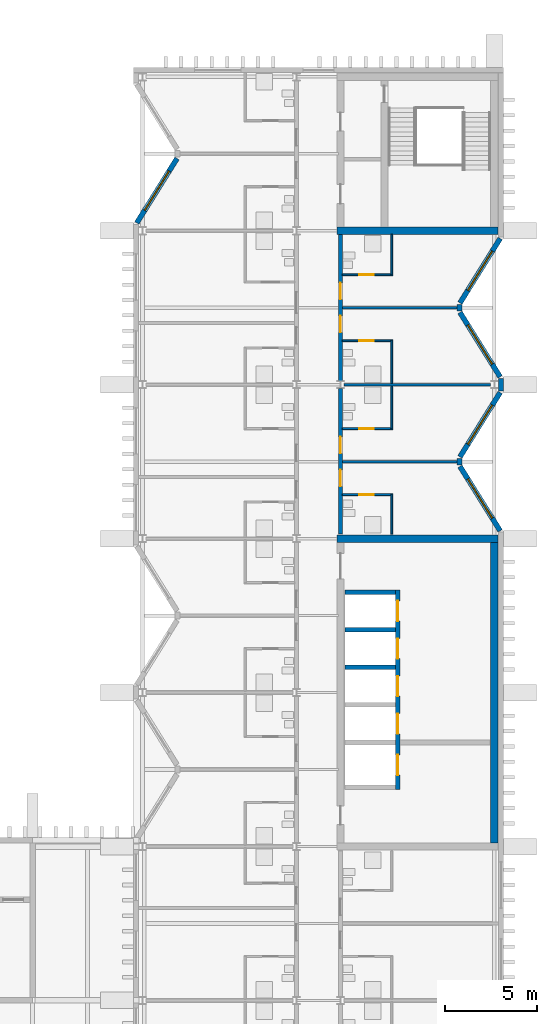
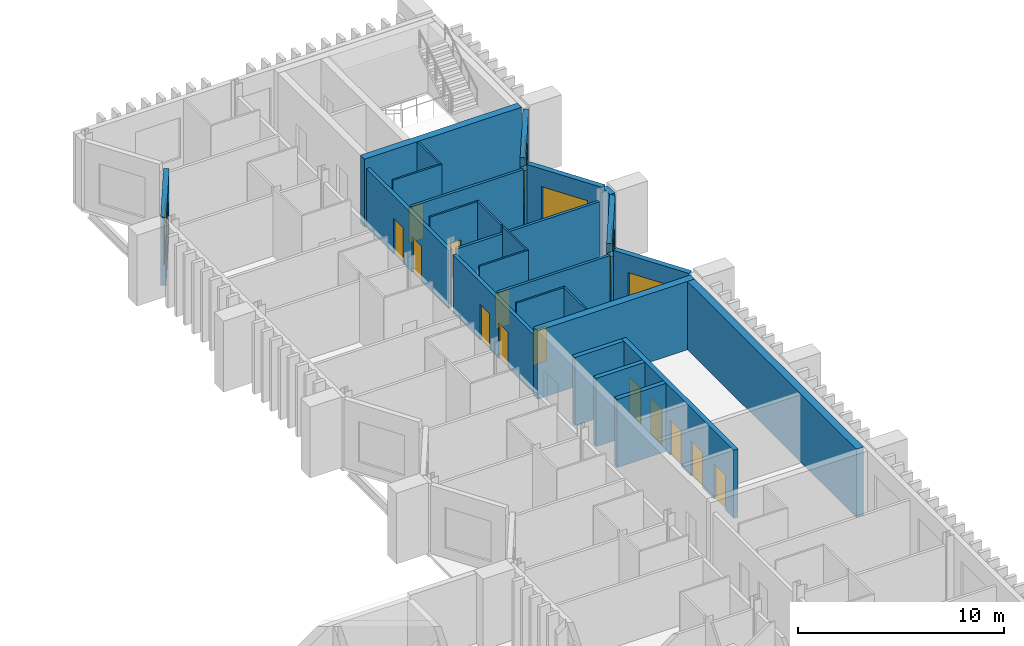
# One storey, part 41 of 51: 28 walls, 13 doors, 5 windows, 18 openings.
"""IFC4 building model written with IfcOpenShell, lengths in metres."""

from ifc_helpers import new_model, si_unit, direction, frame, frame_2d, origin, place, context, subcontext, project, spatial, rectangle, extrude, material, layer, layer_set, type_object, element, fill, save


model = new_model("IFC4")

# Units and contexts
model_context = context("Model", 3, precision=1e-05, world=origin(), true_north=direction((0.0, 1.0)))
body_context = subcontext(model_context, "Body", "Model", "MODEL_VIEW")
ifc_project = project(units=[si_unit("LENGTHUNIT", "METRE"), si_unit("AREAUNIT", "SQUARE_METRE"), si_unit("VOLUMEUNIT", "CUBIC_METRE"), si_unit("PLANEANGLEUNIT", "RADIAN"), si_unit("MASSUNIT", "GRAM", prefix="KILO")], contexts=[model_context])

# Site, building, storey
site_placement = place(None, origin())
site = spatial("IfcSite", under=ifc_project, at=site_placement, CompositionType="ELEMENT")
building_placement = place(site_placement, origin())
building = spatial("IfcBuilding", under=site, at=building_placement, Name="Cresset Court Congress Hotel", CompositionType="ELEMENT")
storey_placement = place(building_placement, frame((0.0, 0.0, 18.60009765625)))
storey = spatial("IfcBuildingStorey", under=building, at=storey_placement, Name="L04", CompositionType="ELEMENT", Elevation=18.60009765625)

# Wall, openings, doors
ifc_material_1 = material(Name="Gypsum board partition")
ifc_layer_1 = layer(ifc_material_1, 0.199951171875)
ifc_layer_set_1 = layer_set([ifc_layer_1], Name="Corridor wall 200")
wall_type_1 = type_object("IfcWallType", Name="Corridor wall 200", PredefinedType="PARTITIONING", material=ifc_layer_set_1)
wall_1_placement = place(storey_placement, frame((168.0, 42.25, 0.0), z_axis=(0.0, 0.0, 1.0), x_axis=(0.0, 1.0, 0.0)))
wall_1 = element("IfcWall", 1, at=wall_1_placement, inside=storey, type_object=wall_type_1, Name="A.wl.L04.080", PredefinedType="PARTITIONING", context=body_context, shape_type="SweptSolid", body=[
    extrude(rectangle(XDim=7.943115234375, YDim=0.199951171875, at=frame_2d((3.9716796875, 0.0))), origin(), (0.0, 0.0, 1.0), 3.449951171875),
])
opening_1_placement = place(wall_1_placement, frame((2.60009765625, 0.0, 0.0)))
opening_1 = element("IfcOpeningElement", 2, at=opening_1_placement, cuts=wall_1, Name="Opening DA-04-42", PredefinedType="OPENING", context=body_context, shape_type="SweptSolid", body=[
    extrude(rectangle(XDim=0.89990234375, YDim=2.10009765625, at=frame_2d((0.449951171875, 1.050048828125))), frame((0.0, 0.10986328125, 0.0), z_axis=(0.0, -1.0, 0.0), x_axis=(1.0, 0.0, 0.0)), (0.0, 0.0, 1.0), 0.219970703125),
])
opening_2_placement = place(wall_1_placement, frame((4.39990234375, 0.0, 0.0)))
opening_2 = element("IfcOpeningElement", 3, at=opening_2_placement, cuts=wall_1, Name="Opening DA-04-44", PredefinedType="OPENING", context=body_context, shape_type="SweptSolid", body=[
    extrude(rectangle(XDim=0.89990234375, YDim=2.10009765625, at=frame_2d((0.449951171875, 1.050048828125))), frame((0.0, 0.10986328125, 0.0), z_axis=(0.0, -1.0, 0.0), x_axis=(1.0, 0.0, 0.0)), (0.0, 0.0, 1.0), 0.219970703125),
])
ifc_material_2 = material(Name="timber", Category="wood")
door_type_1 = type_object("IfcDoorType", Name="Guest-room entry door 900x2100 FD30S", OperationType="SINGLE_SWING_LEFT", PredefinedType="DOOR", material=ifc_material_2)
door_1_placement = place(opening_1_placement, origin())
door_1 = element("IfcDoor", 4, at=door_1_placement, inside=storey, type_object=door_type_1, Name="Door DA-04-42", OperationType="SINGLE_SWING_RIGHT", OverallHeight=2.10009765625, OverallWidth=0.89990234375, PredefinedType="DOOR", context=body_context, shape_type="SweptSolid", body=[
    extrude(rectangle(XDim=0.89990234375, YDim=2.10009765625, at=frame_2d((0.449951171875, 1.050048828125))), frame((0.0, 0.02490234375, 0.0), z_axis=(0.0, -1.0, 0.0), x_axis=(1.0, 0.0, 0.0)), (0.0, 0.0, 1.0), 0.050048828125),
])
fill(opening_1, door_1)
door_2_placement = place(opening_2_placement, origin())
door_2 = element("IfcDoor", 5, at=door_2_placement, inside=storey, type_object=door_type_1, Name="Door DA-04-44", OperationType="SINGLE_SWING_LEFT", OverallHeight=2.10009765625, OverallWidth=0.89990234375, PredefinedType="DOOR", context=body_context, shape_type="SweptSolid", body=[
    extrude(rectangle(XDim=0.89990234375, YDim=2.10009765625, at=frame_2d((0.449951171875, 1.050048828125))), frame((0.0, 0.02490234375, 0.0), z_axis=(0.0, -1.0, 0.0), x_axis=(1.0, 0.0, 0.0)), (0.0, 0.0, 1.0), 0.050048828125),
])
fill(opening_2, door_2)

wall_2_placement = place(storey_placement, frame((168.0, 50.60693359375, 0.0), z_axis=(0.0, 0.0, 1.0), x_axis=(0.0, 1.0, 0.0)))
wall_2 = element("IfcWall", 6, at=wall_2_placement, inside=storey, type_object=wall_type_1, Name="A.wl.L04.081", PredefinedType="PARTITIONING", context=body_context, shape_type="SweptSolid", body=[
    extrude(rectangle(XDim=7.9931640625, YDim=0.199951171875, at=frame_2d((3.99658203125, 0.0))), origin(), (0.0, 0.0, 1.0), 3.449951171875),
])
opening_3_placement = place(wall_2_placement, frame((2.64306640625, 0.0, 0.0)))
opening_3 = element("IfcOpeningElement", 7, at=opening_3_placement, cuts=wall_2, Name="Opening DA-04-46", PredefinedType="OPENING", context=body_context, shape_type="SweptSolid", body=[
    extrude(rectangle(XDim=0.89990234375, YDim=2.10009765625, at=frame_2d((0.449951171875, 1.050048828125))), frame((0.0, 0.10986328125, 0.0), z_axis=(0.0, -1.0, 0.0), x_axis=(1.0, 0.0, 0.0)), (0.0, 0.0, 1.0), 0.219970703125),
])
opening_4_placement = place(wall_2_placement, frame((4.443115234375, 0.0, 0.0)))
opening_4 = element("IfcOpeningElement", 8, at=opening_4_placement, cuts=wall_2, Name="Opening DA-04-48", PredefinedType="OPENING", context=body_context, shape_type="SweptSolid", body=[
    extrude(rectangle(XDim=0.89990234375, YDim=2.10009765625, at=frame_2d((0.449951171875, 1.050048828125))), frame((0.0, 0.10986328125, 0.0), z_axis=(0.0, -1.0, 0.0), x_axis=(1.0, 0.0, 0.0)), (0.0, 0.0, 1.0), 0.219970703125),
])
door_3_placement = place(opening_3_placement, origin())
door_3 = element("IfcDoor", 9, at=door_3_placement, inside=storey, type_object=door_type_1, Name="Door DA-04-46", OperationType="SINGLE_SWING_RIGHT", OverallHeight=2.10009765625, OverallWidth=0.89990234375, PredefinedType="DOOR", context=body_context, shape_type="SweptSolid", body=[
    extrude(rectangle(XDim=0.89990234375, YDim=2.10009765625, at=frame_2d((0.449951171875, 1.050048828125))), frame((0.0, 0.02490234375, 0.0), z_axis=(0.0, -1.0, 0.0), x_axis=(1.0, 0.0, 0.0)), (0.0, 0.0, 1.0), 0.050048828125),
])
fill(opening_3, door_3)
door_4_placement = place(opening_4_placement, origin())
door_4 = element("IfcDoor", 10, at=door_4_placement, inside=storey, type_object=door_type_1, Name="Door DA-04-48", OperationType="SINGLE_SWING_LEFT", OverallHeight=2.10009765625, OverallWidth=0.89990234375, PredefinedType="DOOR", context=body_context, shape_type="SweptSolid", body=[
    extrude(rectangle(XDim=0.89990234375, YDim=2.10009765625, at=frame_2d((0.449951171875, 1.050048828125))), frame((0.0, 0.02490234375, 0.0), z_axis=(0.0, -1.0, 0.0), x_axis=(1.0, 0.0, 0.0)), (0.0, 0.0, 1.0), 0.050048828125),
])
fill(opening_4, door_4)

# Wall
ifc_material_3 = material(Name="Gypsum board partition")
ifc_layer_2 = layer(ifc_material_3, 0.10009765625)
ifc_layer_set_2 = layer_set([ifc_layer_2], Name="En-suite wall 100")
wall_type_2 = type_object("IfcWallType", Name="En-suite wall 100", PredefinedType="PARTITIONING", material=ifc_layer_set_2)
wall_3_placement = place(storey_placement, frame((170.800048828125, 42.25, 0.0), z_axis=(0.0, 0.0, 1.0), x_axis=(0.0, 1.0, 0.0)))
element("IfcWall", 11, at=wall_3_placement, inside=storey, type_object=wall_type_2, Name="A.wl.L04.041", PredefinedType="PARTITIONING", context=body_context, shape_type="SweptSolid", body=[
    extrude(rectangle(XDim=2.14990234375, YDim=0.10009765625, at=frame_2d((1.074951171875, 0.0))), origin(), (0.0, 0.0, 1.0), 4.0498046875),
])

# Wall, opening, door
wall_4_placement = place(storey_placement, frame((170.85009765625, 44.39990234375, 0.0), z_axis=(0.0, 0.0, 1.0), x_axis=(-1.0, 0.0, 0.0)))
wall_4 = element("IfcWall", 12, at=wall_4_placement, inside=storey, type_object=wall_type_2, Name="A.wl.L04.042", PredefinedType="PARTITIONING", context=body_context, shape_type="SweptSolid", body=[
    extrude(rectangle(XDim=2.75, YDim=0.10009765625, at=frame_2d((1.375, 0.0))), origin(), (0.0, 0.0, 1.0), 4.0498046875),
])
opening_5_placement = place(wall_4_placement, frame((1.030029296875, 0.0, 0.0)))
opening_5 = element("IfcOpeningElement", 13, at=opening_5_placement, cuts=wall_4, Name="Opening DA-04-41", PredefinedType="OPENING", context=body_context, shape_type="SweptSolid", body=[
    extrude(rectangle(XDim=0.800048828125, YDim=2.10009765625, at=frame_2d((0.39990234375, 1.050048828125))), frame((0.0, 0.06005859375, 0.0), z_axis=(0.0, -1.0, 0.0), x_axis=(1.0, 0.0, 0.0)), (0.0, 0.0, 1.0), 0.1201171875),
])
ifc_material_4 = material(Name="timber", Category="wood")
door_type_2 = type_object("IfcDoorType", Name="En-suite door 800x2100", OperationType="SINGLE_SWING_LEFT", PredefinedType="DOOR", material=ifc_material_4)
door_5_placement = place(opening_5_placement, origin())
door_5 = element("IfcDoor", 14, at=door_5_placement, inside=storey, type_object=door_type_2, Name="Door DA-04-41", OperationType="SINGLE_SWING_RIGHT", OverallHeight=2.10009765625, OverallWidth=0.800048828125, PredefinedType="DOOR", context=body_context, shape_type="SweptSolid", body=[
    extrude(rectangle(XDim=0.800048828125, YDim=2.10009765625, at=frame_2d((0.39990234375, 1.050048828125))), frame((0.0, 0.02490234375, 0.0), z_axis=(0.0, -1.0, 0.0), x_axis=(1.0, 0.0, 0.0)), (0.0, 0.0, 1.0), 0.050048828125),
])
fill(opening_5, door_5)

# Wall
wall_5_placement = place(storey_placement, frame((170.800048828125, 48.0, 0.0), z_axis=(0.0, 0.0, 1.0), x_axis=(0.0, 1.0, 0.0)))
element("IfcWall", 15, at=wall_5_placement, inside=storey, type_object=wall_type_2, Name="A.wl.L04.043", PredefinedType="PARTITIONING", context=body_context, shape_type="SweptSolid", body=[
    extrude(rectangle(XDim=2.324951171875, YDim=0.10009765625, at=frame_2d((1.16259765625, 0.0))), origin(), (0.0, 0.0, 1.0), 4.0498046875),
])

# Wall, opening, door
wall_6_placement = place(storey_placement, frame((170.85009765625, 48.0, 0.0), z_axis=(0.0, 0.0, 1.0), x_axis=(-1.0, 0.0, 0.0)))
wall_6 = element("IfcWall", 16, at=wall_6_placement, inside=storey, type_object=wall_type_2, Name="A.wl.L04.044", PredefinedType="PARTITIONING", context=body_context, shape_type="SweptSolid", body=[
    extrude(rectangle(XDim=2.75, YDim=0.10009765625, at=frame_2d((1.375, 0.0))), origin(), (0.0, 0.0, 1.0), 4.0498046875),
])
opening_6_placement = place(wall_6_placement, frame((1.030029296875, 0.0, 0.0)))
opening_6 = element("IfcOpeningElement", 17, at=opening_6_placement, cuts=wall_6, Name="Opening DA-04-43", PredefinedType="OPENING", context=body_context, shape_type="SweptSolid", body=[
    extrude(rectangle(XDim=0.800048828125, YDim=2.10009765625, at=frame_2d((0.39990234375, 1.050048828125))), frame((0.0, 0.06005859375, 0.0), z_axis=(0.0, -1.0, 0.0), x_axis=(1.0, 0.0, 0.0)), (0.0, 0.0, 1.0), 0.1201171875),
])
door_6_placement = place(opening_6_placement, origin())
door_6 = element("IfcDoor", 18, at=door_6_placement, inside=storey, type_object=door_type_2, Name="Door DA-04-43", OperationType="SINGLE_SWING_LEFT", OverallHeight=2.10009765625, OverallWidth=0.800048828125, PredefinedType="DOOR", context=body_context, shape_type="SweptSolid", body=[
    extrude(rectangle(XDim=0.800048828125, YDim=2.10009765625, at=frame_2d((0.39990234375, 1.050048828125))), frame((0.0, 0.02490234375, 0.0), z_axis=(0.0, -1.0, 0.0), x_axis=(1.0, 0.0, 0.0)), (0.0, 0.0, 1.0), 0.050048828125),
])
fill(opening_6, door_6)

# Wall
wall_7_placement = place(storey_placement, frame((170.800048828125, 50.47509765625, 0.0), z_axis=(0.0, 0.0, 1.0), x_axis=(0.0, 1.0, 0.0)))
element("IfcWall", 19, at=wall_7_placement, inside=storey, type_object=wall_type_2, Name="A.wl.L04.045", PredefinedType="PARTITIONING", context=body_context, shape_type="SweptSolid", body=[
    extrude(rectangle(XDim=2.324951171875, YDim=0.10009765625, at=frame_2d((1.16259765625, 0.0))), origin(), (0.0, 0.0, 1.0), 4.0498046875),
])

# Wall, opening, door
wall_8_placement = place(storey_placement, frame((170.85009765625, 52.800048828125, 0.0), z_axis=(0.0, 0.0, 1.0), x_axis=(-1.0, 0.0, 0.0)))
wall_8 = element("IfcWall", 20, at=wall_8_placement, inside=storey, type_object=wall_type_2, Name="A.wl.L04.046", PredefinedType="PARTITIONING", context=body_context, shape_type="SweptSolid", body=[
    extrude(rectangle(XDim=2.75, YDim=0.10009765625, at=frame_2d((1.375, 0.0))), origin(), (0.0, 0.0, 1.0), 4.0498046875),
])
opening_7_placement = place(wall_8_placement, frame((1.030029296875, 0.0, 0.0)))
opening_7 = element("IfcOpeningElement", 21, at=opening_7_placement, cuts=wall_8, Name="Opening DA-04-45", PredefinedType="OPENING", context=body_context, shape_type="SweptSolid", body=[
    extrude(rectangle(XDim=0.800048828125, YDim=2.10009765625, at=frame_2d((0.39990234375, 1.050048828125))), frame((0.0, 0.06005859375, 0.0), z_axis=(0.0, -1.0, 0.0), x_axis=(1.0, 0.0, 0.0)), (0.0, 0.0, 1.0), 0.1201171875),
])
door_7_placement = place(opening_7_placement, origin())
door_7 = element("IfcDoor", 22, at=door_7_placement, inside=storey, type_object=door_type_2, Name="Door DA-04-45", OperationType="SINGLE_SWING_RIGHT", OverallHeight=2.10009765625, OverallWidth=0.800048828125, PredefinedType="DOOR", context=body_context, shape_type="SweptSolid", body=[
    extrude(rectangle(XDim=0.800048828125, YDim=2.10009765625, at=frame_2d((0.39990234375, 1.050048828125))), frame((0.0, 0.02490234375, 0.0), z_axis=(0.0, -1.0, 0.0), x_axis=(1.0, 0.0, 0.0)), (0.0, 0.0, 1.0), 0.050048828125),
])
fill(opening_7, door_7)

# Wall
wall_9_placement = place(storey_placement, frame((170.800048828125, 56.39990234375, 0.0), z_axis=(0.0, 0.0, 1.0), x_axis=(0.0, 1.0, 0.0)))
element("IfcWall", 23, at=wall_9_placement, inside=storey, type_object=wall_type_2, Name="A.wl.L04.047", PredefinedType="PARTITIONING", context=body_context, shape_type="SweptSolid", body=[
    extrude(rectangle(XDim=2.2001953125, YDim=0.10009765625, at=frame_2d((1.10009765625, 0.0))), origin(), (0.0, 0.0, 1.0), 4.0498046875),
])

# Wall, opening, door
wall_10_placement = place(storey_placement, frame((170.85009765625, 56.39990234375, 0.0), z_axis=(0.0, 0.0, 1.0), x_axis=(-1.0, 0.0, 0.0)))
wall_10 = element("IfcWall", 24, at=wall_10_placement, inside=storey, type_object=wall_type_2, Name="A.wl.L04.048", PredefinedType="PARTITIONING", context=body_context, shape_type="SweptSolid", body=[
    extrude(rectangle(XDim=2.75, YDim=0.10009765625, at=frame_2d((1.375, 0.0))), origin(), (0.0, 0.0, 1.0), 4.0498046875),
])
opening_8_placement = place(wall_10_placement, frame((1.030029296875, 0.0, 0.0)))
opening_8 = element("IfcOpeningElement", 25, at=opening_8_placement, cuts=wall_10, Name="Opening DA-04-47", PredefinedType="OPENING", context=body_context, shape_type="SweptSolid", body=[
    extrude(rectangle(XDim=0.800048828125, YDim=2.10009765625, at=frame_2d((0.39990234375, 1.050048828125))), frame((0.0, 0.06005859375, 0.0), z_axis=(0.0, -1.0, 0.0), x_axis=(1.0, 0.0, 0.0)), (0.0, 0.0, 1.0), 0.1201171875),
])
door_8_placement = place(opening_8_placement, origin())
door_8 = element("IfcDoor", 26, at=door_8_placement, inside=storey, type_object=door_type_2, Name="Door DA-04-47", OperationType="SINGLE_SWING_LEFT", OverallHeight=2.10009765625, OverallWidth=0.800048828125, PredefinedType="DOOR", context=body_context, shape_type="SweptSolid", body=[
    extrude(rectangle(XDim=0.800048828125, YDim=2.10009765625, at=frame_2d((0.39990234375, 1.050048828125))), frame((0.0, 0.02490234375, 0.0), z_axis=(0.0, -1.0, 0.0), x_axis=(1.0, 0.0, 0.0)), (0.0, 0.0, 1.0), 0.050048828125),
])
fill(opening_8, door_8)

# Wall, opening, window
ifc_material_5 = material(Name="Precast concrete C50", Category="concrete")
ifc_layer_3 = layer(ifc_material_5, 0.280029296875)
ifc_layer_set_3 = layer_set([ifc_layer_3], Name="External wall 280")
wall_type_3 = type_object("IfcWallType", Name="External wall 280", PredefinedType="SOLIDWALL", material=ifc_layer_set_3)
wall_11_placement = place(storey_placement, frame((156.88623046875, 59.22412109375, 0.0), z_axis=(0.0, 0.0, 1.0), x_axis=(0.529018946142, 0.848610013271, 0.0)))
wall_11 = element("IfcWall", 27, at=wall_11_placement, inside=storey, type_object=wall_type_3, Name="A.ew.L04.Wn.7.0", PredefinedType="SOLIDWALL", context=body_context, shape_type="SweptSolid", body=[
    extrude(rectangle(XDim=4.144287109375, YDim=0.280029296875, at=frame_2d((2.072265625, 0.0))), origin(), (0.0, 0.0, 1.0), 4.0498046875),
])
opening_9_placement = place(wall_11_placement, frame((0.812255859375, 0.0, 0.60009765625)))
opening_9 = element("IfcOpeningElement", 28, at=opening_9_placement, cuts=wall_11, Name="Opening NA-04-15", PredefinedType="OPENING", context=body_context, shape_type="SweptSolid", body=[
    extrude(rectangle(XDim=2.52001953125, YDim=2.39990234375, at=frame_2d((1.260009765625, 1.199951171875))), frame((0.0, 0.14990234375, 0.0), z_axis=(0.0, -1.0, 0.0), x_axis=(1.0, 0.0, 0.0)), (0.0, 0.0, 1.0), 0.300048828125),
])
ifc_material_6 = material(Name="Aluminium and glass", Category="aluminium")
window_type = type_object("IfcWindowType", Name="Window 2520x2400", PartitioningType="SINGLE_PANEL", PredefinedType="WINDOW", material=ifc_material_6)
window_1_placement = place(opening_9_placement, origin())
window_1 = element("IfcWindow", 29, at=window_1_placement, inside=storey, type_object=window_type, Name="Window NA-04-15", OverallHeight=2.39990234375, OverallWidth=2.52001953125, PartitioningType="SINGLE_PANEL", PredefinedType="WINDOW", context=body_context, shape_type="SweptSolid", body=[
    extrude(rectangle(XDim=2.52001953125, YDim=2.39990234375, at=frame_2d((1.260009765625, 1.199951171875))), frame((0.0, 0.030029296875, 0.0), z_axis=(0.0, -1.0, 0.0), x_axis=(1.0, 0.0, 0.0)), (0.0, 0.0, 1.0), 0.06005859375),
])
fill(opening_9, window_1)

wall_12_placement = place(storey_placement, frame((176.7138671875, 42.424072265625, 0.0), z_axis=(0.0, 0.0, 1.0), x_axis=(-0.529018946142, 0.848610013271, 0.0)))
wall_12 = element("IfcWall", 30, at=wall_12_placement, inside=storey, type_object=wall_type_3, Name="A.ew.L04.En.5.0", PredefinedType="SOLIDWALL", context=body_context, shape_type="SweptSolid", body=[
    extrude(rectangle(XDim=4.144287109375, YDim=0.280029296875, at=frame_2d((2.072265625, 0.0))), origin(), (0.0, 0.0, 1.0), 4.0498046875),
])
opening_10_placement = place(wall_12_placement, frame((0.81201171875, 0.0, 0.60009765625)))
opening_10 = element("IfcOpeningElement", 31, at=opening_10_placement, cuts=wall_12, Name="Opening NA-04-21", PredefinedType="OPENING", context=body_context, shape_type="SweptSolid", body=[
    extrude(rectangle(XDim=2.52001953125, YDim=2.39990234375, at=frame_2d((1.260009765625, 1.199951171875))), frame((0.0, 0.14990234375, 0.0), z_axis=(0.0, -1.0, 0.0), x_axis=(1.0, 0.0, 0.0)), (0.0, 0.0, 1.0), 0.300048828125),
])
window_2_placement = place(opening_10_placement, origin())
window_2 = element("IfcWindow", 32, at=window_2_placement, inside=storey, type_object=window_type, Name="Window NA-04-21", OverallHeight=2.39990234375, OverallWidth=2.52001953125, PartitioningType="SINGLE_PANEL", PredefinedType="WINDOW", context=body_context, shape_type="SweptSolid", body=[
    extrude(rectangle(XDim=2.52001953125, YDim=2.39990234375, at=frame_2d((1.260009765625, 1.199951171875))), frame((0.0, 0.030029296875, 0.0), z_axis=(0.0, -1.0, 0.0), x_axis=(1.0, 0.0, 0.0)), (0.0, 0.0, 1.0), 0.06005859375),
])
fill(opening_10, window_2)

wall_13_placement = place(storey_placement, frame((174.521484375, 46.458984375, 0.0), z_axis=(0.0, 0.0, 1.0), x_axis=(0.529018946142, 0.848610013271, 0.0)))
wall_13 = element("IfcWall", 33, at=wall_13_placement, inside=storey, type_object=wall_type_3, Name="A.ew.L04.En.5.1", PredefinedType="SOLIDWALL", context=body_context, shape_type="SweptSolid", body=[
    extrude(rectangle(XDim=4.144287109375, YDim=0.280029296875, at=frame_2d((2.072265625, 0.0))), origin(), (0.0, 0.0, 1.0), 4.0498046875),
])
opening_11_placement = place(wall_13_placement, frame((0.81201171875, 0.0, 0.60009765625)))
opening_11 = element("IfcOpeningElement", 34, at=opening_11_placement, cuts=wall_13, Name="Opening NA-04-22", PredefinedType="OPENING", context=body_context, shape_type="SweptSolid", body=[
    extrude(rectangle(XDim=2.52001953125, YDim=2.39990234375, at=frame_2d((1.260009765625, 1.199951171875))), frame((0.0, 0.14990234375, 0.0), z_axis=(0.0, -1.0, 0.0), x_axis=(1.0, 0.0, 0.0)), (0.0, 0.0, 1.0), 0.300048828125),
])
window_3_placement = place(opening_11_placement, origin())
window_3 = element("IfcWindow", 35, at=window_3_placement, inside=storey, type_object=window_type, Name="Window NA-04-22", OverallHeight=2.39990234375, OverallWidth=2.52001953125, PartitioningType="SINGLE_PANEL", PredefinedType="WINDOW", context=body_context, shape_type="SweptSolid", body=[
    extrude(rectangle(XDim=2.52001953125, YDim=2.39990234375, at=frame_2d((1.260009765625, 1.199951171875))), frame((0.0, 0.030029296875, 0.0), z_axis=(0.0, -1.0, 0.0), x_axis=(1.0, 0.0, 0.0)), (0.0, 0.0, 1.0), 0.06005859375),
])
fill(opening_11, window_3)

# Walls
wall_14_placement = place(storey_placement, frame((174.500244140625, 46.01513671875, 0.0), z_axis=(0.0, 0.0, 1.0), x_axis=(0.0, 1.0, 0.0)))
element("IfcWall", 36, at=wall_14_placement, inside=storey, type_object=wall_type_3, Name="A.ew.L04.En.5.2", PredefinedType="SOLIDWALL", context=body_context, shape_type="SweptSolid", body=[
    extrude(rectangle(XDim=0.369873046875, YDim=0.280029296875, at=frame_2d((0.18505859375, 0.0))), origin(), (0.0, 0.0, 1.0), 3.60400390625),
])
wall_15_placement = place(storey_placement, frame((176.760009765625, 50.050048828125, 0.0), z_axis=(0.0, 0.0, 1.0), x_axis=(0.0, 1.0, 0.0)))
element("IfcWall", 37, at=wall_15_placement, inside=storey, type_object=wall_type_3, Name="A.ew.L04.E.2", PredefinedType="SOLIDWALL", context=body_context, shape_type="SweptSolid", body=[
    extrude(rectangle(XDim=0.699951171875, YDim=0.280029296875, at=frame_2d((0.35009765625, 0.0))), origin(), (0.0, 0.0, 1.0), 4.0498046875),
])

# Wall, opening, window
wall_16_placement = place(storey_placement, frame((176.7138671875, 50.82421875, 0.0), z_axis=(0.0, 0.0, 1.0), x_axis=(-0.529018946142, 0.848610013271, 0.0)))
wall_16 = element("IfcWall", 38, at=wall_16_placement, inside=storey, type_object=wall_type_3, Name="A.ew.L04.En.6.0", PredefinedType="SOLIDWALL", context=body_context, shape_type="SweptSolid", body=[
    extrude(rectangle(XDim=4.144287109375, YDim=0.280029296875, at=frame_2d((2.072265625, 0.0))), origin(), (0.0, 0.0, 1.0), 4.0498046875),
])
opening_12_placement = place(wall_16_placement, frame((0.81201171875, 0.0, 0.60009765625)))
opening_12 = element("IfcOpeningElement", 39, at=opening_12_placement, cuts=wall_16, Name="Opening NA-04-23", PredefinedType="OPENING", context=body_context, shape_type="SweptSolid", body=[
    extrude(rectangle(XDim=2.52001953125, YDim=2.39990234375, at=frame_2d((1.260009765625, 1.199951171875))), frame((0.0, 0.14990234375, 0.0), z_axis=(0.0, -1.0, 0.0), x_axis=(1.0, 0.0, 0.0)), (0.0, 0.0, 1.0), 0.300048828125),
])
window_4_placement = place(opening_12_placement, origin())
window_4 = element("IfcWindow", 40, at=window_4_placement, inside=storey, type_object=window_type, Name="Window NA-04-23", OverallHeight=2.39990234375, OverallWidth=2.52001953125, PartitioningType="SINGLE_PANEL", PredefinedType="WINDOW", context=body_context, shape_type="SweptSolid", body=[
    extrude(rectangle(XDim=2.52001953125, YDim=2.39990234375, at=frame_2d((1.260009765625, 1.199951171875))), frame((0.0, 0.030029296875, 0.0), z_axis=(0.0, -1.0, 0.0), x_axis=(1.0, 0.0, 0.0)), (0.0, 0.0, 1.0), 0.06005859375),
])
fill(opening_12, window_4)

wall_17_placement = place(storey_placement, frame((174.521484375, 54.85888671875, 0.0), z_axis=(0.0, 0.0, 1.0), x_axis=(0.528992500338, 0.848626498871, 0.0)))
wall_17 = element("IfcWall", 41, at=wall_17_placement, inside=storey, type_object=wall_type_3, Name="A.ew.L04.En.6.1", PredefinedType="SOLIDWALL", context=body_context, shape_type="SweptSolid", body=[
    extrude(rectangle(XDim=4.14453125, YDim=0.280029296875, at=frame_2d((2.072265625, 0.0))), origin(), (0.0, 0.0, 1.0), 4.0498046875),
])
opening_13_placement = place(wall_17_placement, frame((0.81201171875, 0.0, 0.60009765625)))
opening_13 = element("IfcOpeningElement", 42, at=opening_13_placement, cuts=wall_17, Name="Opening NA-04-24", PredefinedType="OPENING", context=body_context, shape_type="SweptSolid", body=[
    extrude(rectangle(XDim=2.52001953125, YDim=2.39990234375, at=frame_2d((1.260009765625, 1.199951171875))), frame((0.0, 0.14990234375, 0.0), z_axis=(0.0, -1.0, 0.0), x_axis=(1.0, 0.0, 0.0)), (0.0, 0.0, 1.0), 0.300048828125),
])
window_5_placement = place(opening_13_placement, origin())
window_5 = element("IfcWindow", 43, at=window_5_placement, inside=storey, type_object=window_type, Name="Window NA-04-24", OverallHeight=2.39990234375, OverallWidth=2.52001953125, PartitioningType="SINGLE_PANEL", PredefinedType="WINDOW", context=body_context, shape_type="SweptSolid", body=[
    extrude(rectangle(XDim=2.52001953125, YDim=2.39990234375, at=frame_2d((1.260009765625, 1.199951171875))), frame((0.0, 0.030029296875, 0.0), z_axis=(0.0, -1.0, 0.0), x_axis=(1.0, 0.0, 0.0)), (0.0, 0.0, 1.0), 0.06005859375),
])
fill(opening_13, window_5)

# Walls
wall_18_placement = place(storey_placement, frame((174.500244140625, 54.4150390625, 0.0), z_axis=(0.0, 0.0, 1.0), x_axis=(0.0, 1.0, 0.0)))
element("IfcWall", 44, at=wall_18_placement, inside=storey, type_object=wall_type_3, Name="A.ew.L04.En.6.2", PredefinedType="SOLIDWALL", context=body_context, shape_type="SweptSolid", body=[
    extrude(rectangle(XDim=0.369873046875, YDim=0.280029296875, at=frame_2d((0.18505859375, 0.0))), origin(), (0.0, 0.0, 1.0), 3.60400390625),
])
ifc_material_7 = material(Name="Gypsum board partition")
ifc_layer_4 = layer(ifc_material_7, 0.14990234375)
ifc_layer_set_4 = layer_set([ifc_layer_4], Name="Guest-room partition 150")
wall_type_4 = type_object("IfcWallType", Name="Guest-room partition 150", PredefinedType="PARTITIONING", material=ifc_layer_set_4)
wall_19_placement = place(storey_placement, frame((168.202392578125, 50.39990234375, 0.0), z_axis=(0.0, 0.0, 1.0), x_axis=(1.0, 0.0, 0.0)))
element("IfcWall", 45, at=wall_19_placement, inside=storey, type_object=wall_type_4, Name="A.wl.L04.057", PredefinedType="PARTITIONING", context=body_context, shape_type="SweptSolid", body=[
    extrude(rectangle(XDim=7.9951171875, YDim=0.14990234375, at=frame_2d((3.99755859375, 0.0))), origin(), (0.0, 0.0, 1.0), 3.60400390625),
])
for number, where, z_axis, x_axis, name in (
    (46, (168.10009765625, 46.199951171875, 0.0), (0.0, 0.0, 1.0), (1.0, 0.0, 0.0), "A.wl.L04.068"),
    (47, (168.10009765625, 54.60009765625, 0.0), (0.0, 0.0, 1.0), (1.0, 0.0, 0.0), "A.wl.L04.069"),
):
    element("IfcWall", number, at=place(storey_placement, frame(where, z_axis=z_axis, x_axis=x_axis)), inside=storey, type_object=wall_type_4, Name=name, PredefinedType="PARTITIONING", context=body_context, shape_type="SweptSolid", body=[
        extrude(rectangle(XDim=6.26025390625, YDim=0.14990234375, at=frame_2d((3.130126953125, 0.0))), origin(), (0.0, 0.0, 1.0), 3.60400390625),
    ])
ifc_material_8 = material(Name="Concrete C50", Category="concrete")
ifc_layer_5 = layer(ifc_material_8, 0.39990234375)
ifc_layer_set_5 = layer_set([ifc_layer_5], Name="Lift core wall 400")
wall_type_5 = type_object("IfcWallType", Name="Lift core wall 400", PredefinedType="SOLIDWALL", material=ifc_layer_set_5)
wall_20_placement = place(storey_placement, frame((167.800048828125, 42.0, 0.0), z_axis=(0.0, 0.0, 1.0), x_axis=(1.0, 0.0, 0.0)))
element("IfcWall", 48, at=wall_20_placement, inside=storey, type_object=wall_type_5, Name="A.cw.LC-A.L04.N", PredefinedType="SOLIDWALL", context=body_context, shape_type="SweptSolid", body=[
    extrude(rectangle(XDim=8.800048828125, YDim=0.39990234375, at=frame_2d((4.39990234375, 0.0))), origin(), (0.0, 0.0, 1.0), 4.0498046875),
])
wall_21_placement = place(storey_placement, frame((176.39990234375, 25.39990234375, 0.0), z_axis=(0.0, 0.0, 1.0), x_axis=(0.0, 1.0, 0.0)))
element("IfcWall", 49, at=wall_21_placement, inside=storey, type_object=wall_type_5, Name="A.cw.LC-A.L04.E", PredefinedType="SOLIDWALL", context=body_context, shape_type="SweptSolid", body=[
    extrude(rectangle(XDim=16.400146484375, YDim=0.39990234375, at=frame_2d((8.2001953125, 0.0))), origin(), (0.0, 0.0, 1.0), 4.0498046875),
])

# Wall, openings, doors
ifc_material_9 = material(Name="Concrete C50", Category="concrete")
ifc_layer_6 = layer(ifc_material_9, 0.25)
ifc_layer_set_6 = layer_set([ifc_layer_6], Name="Lift shaft wall 250")
wall_type_6 = type_object("IfcWallType", Name="Lift shaft wall 250", PredefinedType="SOLIDWALL", material=ifc_layer_set_6)
wall_22_placement = place(storey_placement, frame((171.125, 28.300048828125, 0.0), z_axis=(0.0, 0.0, 1.0), x_axis=(0.0, 1.0, 0.0)))
wall_22 = element("IfcWall", 50, at=wall_22_placement, inside=storey, type_object=wall_type_6, Name="A.wl.L04.086", PredefinedType="SOLIDWALL", context=body_context, shape_type="SweptSolid", body=[
    extrude(rectangle(XDim=10.89990234375, YDim=0.25, at=frame_2d((5.449951171875, 0.0))), origin(), (0.0, 0.0, 1.0), 4.0498046875),
])
opening_14_placement = place(wall_22_placement, frame((0.800048828125, 0.0, 0.0)))
opening_14 = element("IfcOpeningElement", 51, at=opening_14_placement, cuts=wall_22, Name="Opening LD-A1-04", PredefinedType="OPENING", context=body_context, shape_type="SweptSolid", body=[
    extrude(rectangle(XDim=1.10009765625, YDim=2.10009765625, at=frame_2d((0.550048828125, 1.050048828125))), frame((0.0, 0.135009765625, 0.0), z_axis=(0.0, -1.0, 0.0), x_axis=(1.0, 0.0, 0.0)), (0.0, 0.0, 1.0), 0.27001953125),
])
opening_15_placement = place(wall_22_placement, frame((3.050048828125, 0.0, 0.0)))
opening_15 = element("IfcOpeningElement", 52, at=opening_15_placement, cuts=wall_22, Name="Opening LD-A2-04", PredefinedType="OPENING", context=body_context, shape_type="SweptSolid", body=[
    extrude(rectangle(XDim=1.10009765625, YDim=2.10009765625, at=frame_2d((0.550048828125, 1.050048828125))), frame((0.0, 0.135009765625, 0.0), z_axis=(0.0, -1.0, 0.0), x_axis=(1.0, 0.0, 0.0)), (0.0, 0.0, 1.0), 0.27001953125),
])
opening_16_placement = place(wall_22_placement, frame((5.10009765625, 0.0, 0.0)))
opening_16 = element("IfcOpeningElement", 53, at=opening_16_placement, cuts=wall_22, Name="Opening LD-A3-04", PredefinedType="OPENING", context=body_context, shape_type="SweptSolid", body=[
    extrude(rectangle(XDim=1.10009765625, YDim=2.10009765625, at=frame_2d((0.550048828125, 1.050048828125))), frame((0.0, 0.135009765625, 0.0), z_axis=(0.0, -1.0, 0.0), x_axis=(1.0, 0.0, 0.0)), (0.0, 0.0, 1.0), 0.27001953125),
])
opening_17_placement = place(wall_22_placement, frame((7.14990234375, 0.0, 0.0)))
opening_17 = element("IfcOpeningElement", 54, at=opening_17_placement, cuts=wall_22, Name="Opening LD-A4-04", PredefinedType="OPENING", context=body_context, shape_type="SweptSolid", body=[
    extrude(rectangle(XDim=1.10009765625, YDim=2.10009765625, at=frame_2d((0.550048828125, 1.050048828125))), frame((0.0, 0.135009765625, 0.0), z_axis=(0.0, -1.0, 0.0), x_axis=(1.0, 0.0, 0.0)), (0.0, 0.0, 1.0), 0.27001953125),
])
opening_18_placement = place(wall_22_placement, frame((9.199951171875, 0.0, 0.0)))
opening_18 = element("IfcOpeningElement", 55, at=opening_18_placement, cuts=wall_22, Name="Opening LD-A5-04", PredefinedType="OPENING", context=body_context, shape_type="SweptSolid", body=[
    extrude(rectangle(XDim=1.10009765625, YDim=2.10009765625, at=frame_2d((0.550048828125, 1.050048828125))), frame((0.0, 0.135009765625, 0.0), z_axis=(0.0, -1.0, 0.0), x_axis=(1.0, 0.0, 0.0)), (0.0, 0.0, 1.0), 0.27001953125),
])
ifc_material_10 = material(Name="stainless steel", Category="steel")
door_type_3 = type_object("IfcDoorType", Name="Lift landing door 1100x2100 E 60", OperationType="SLIDING_TO_LEFT", PredefinedType="DOOR", material=ifc_material_10)
door_9_placement = place(opening_14_placement, origin())
door_9 = element("IfcDoor", 56, at=door_9_placement, inside=storey, type_object=door_type_3, Name="Lift landing door LD-A1-04", OperationType="SLIDING_TO_LEFT", OverallHeight=2.10009765625, OverallWidth=1.10009765625, PredefinedType="DOOR", context=body_context, shape_type="SweptSolid", body=[
    extrude(rectangle(XDim=1.10009765625, YDim=2.10009765625, at=frame_2d((0.550048828125, 1.050048828125))), frame((0.0, 0.02490234375, 0.0), z_axis=(0.0, -1.0, 0.0), x_axis=(1.0, 0.0, 0.0)), (0.0, 0.0, 1.0), 0.050048828125),
])
fill(opening_14, door_9)
door_10_placement = place(opening_15_placement, origin())
door_10 = element("IfcDoor", 57, at=door_10_placement, inside=storey, type_object=door_type_3, Name="Lift landing door LD-A2-04", OperationType="SLIDING_TO_LEFT", OverallHeight=2.10009765625, OverallWidth=1.10009765625, PredefinedType="DOOR", context=body_context, shape_type="SweptSolid", body=[
    extrude(rectangle(XDim=1.10009765625, YDim=2.10009765625, at=frame_2d((0.550048828125, 1.050048828125))), frame((0.0, 0.02490234375, 0.0), z_axis=(0.0, -1.0, 0.0), x_axis=(1.0, 0.0, 0.0)), (0.0, 0.0, 1.0), 0.050048828125),
])
fill(opening_15, door_10)
door_11_placement = place(opening_16_placement, origin())
door_11 = element("IfcDoor", 58, at=door_11_placement, inside=storey, type_object=door_type_3, Name="Lift landing door LD-A3-04", OperationType="SLIDING_TO_LEFT", OverallHeight=2.10009765625, OverallWidth=1.10009765625, PredefinedType="DOOR", context=body_context, shape_type="SweptSolid", body=[
    extrude(rectangle(XDim=1.10009765625, YDim=2.10009765625, at=frame_2d((0.550048828125, 1.050048828125))), frame((0.0, 0.02490234375, 0.0), z_axis=(0.0, -1.0, 0.0), x_axis=(1.0, 0.0, 0.0)), (0.0, 0.0, 1.0), 0.050048828125),
])
fill(opening_16, door_11)
door_12_placement = place(opening_17_placement, origin())
door_12 = element("IfcDoor", 59, at=door_12_placement, inside=storey, type_object=door_type_3, Name="Lift landing door LD-A4-04", OperationType="SLIDING_TO_LEFT", OverallHeight=2.10009765625, OverallWidth=1.10009765625, PredefinedType="DOOR", context=body_context, shape_type="SweptSolid", body=[
    extrude(rectangle(XDim=1.10009765625, YDim=2.10009765625, at=frame_2d((0.550048828125, 1.050048828125))), frame((0.0, 0.02490234375, 0.0), z_axis=(0.0, -1.0, 0.0), x_axis=(1.0, 0.0, 0.0)), (0.0, 0.0, 1.0), 0.050048828125),
])
fill(opening_17, door_12)
door_13_placement = place(opening_18_placement, origin())
door_13 = element("IfcDoor", 60, at=door_13_placement, inside=storey, type_object=door_type_3, Name="Lift landing door LD-A5-04", OperationType="SLIDING_TO_LEFT", OverallHeight=2.10009765625, OverallWidth=1.10009765625, PredefinedType="DOOR", context=body_context, shape_type="SweptSolid", body=[
    extrude(rectangle(XDim=1.10009765625, YDim=2.10009765625, at=frame_2d((0.550048828125, 1.050048828125))), frame((0.0, 0.02490234375, 0.0), z_axis=(0.0, -1.0, 0.0), x_axis=(1.0, 0.0, 0.0)), (0.0, 0.0, 1.0), 0.050048828125),
])
fill(opening_18, door_13)

# Walls
for number, where, z_axis, x_axis, name in (
    (61, (168.25, 34.97509765625, 0.0), (0.0, 0.0, 1.0), (1.0, 0.0, 0.0), "A.wl.L04.090"),
    (62, (168.25, 37.02490234375, 0.0), (0.0, 0.0, 1.0), (1.0, 0.0, 0.0), "A.wl.L04.091"),
    (63, (168.25, 39.074951171875, 0.0), (0.0, 0.0, 1.0), (1.0, 0.0, 0.0), "A.wl.L04.092"),
):
    element("IfcWall", number, at=place(storey_placement, frame(where, z_axis=z_axis, x_axis=x_axis)), inside=storey, type_object=wall_type_6, Name=name, PredefinedType="SOLIDWALL", context=body_context, shape_type="SweptSolid", body=[
        extrude(rectangle(XDim=2.75, YDim=0.25, at=frame_2d((1.375, 0.0))), origin(), (0.0, 0.0, 1.0), 4.0498046875),
    ])
ifc_material_11 = material(Name="Concrete C50", Category="concrete")
ifc_layer_7 = layer(ifc_material_11, 0.39990234375)
ifc_layer_set_7 = layer_set([ifc_layer_7], Name="Stair core wall 400")
wall_type_7 = type_object("IfcWallType", Name="Stair core wall 400", PredefinedType="SOLIDWALL", material=ifc_layer_set_7)
wall_23_placement = place(storey_placement, frame((167.800048828125, 58.800048828125, 0.0), z_axis=(0.0, 0.0, 1.0), x_axis=(1.0, 0.0, 0.0)))
element("IfcWall", 64, at=wall_23_placement, inside=storey, type_object=wall_type_7, Name="A.cw.ST-A2.L04.S", PredefinedType="SOLIDWALL", context=body_context, shape_type="SweptSolid", body=[
    extrude(rectangle(XDim=8.800048828125, YDim=0.39990234375, at=frame_2d((4.39990234375, 0.0))), origin(), (0.0, 0.0, 1.0), 4.0498046875),
])

save(model, "model.ifc")
